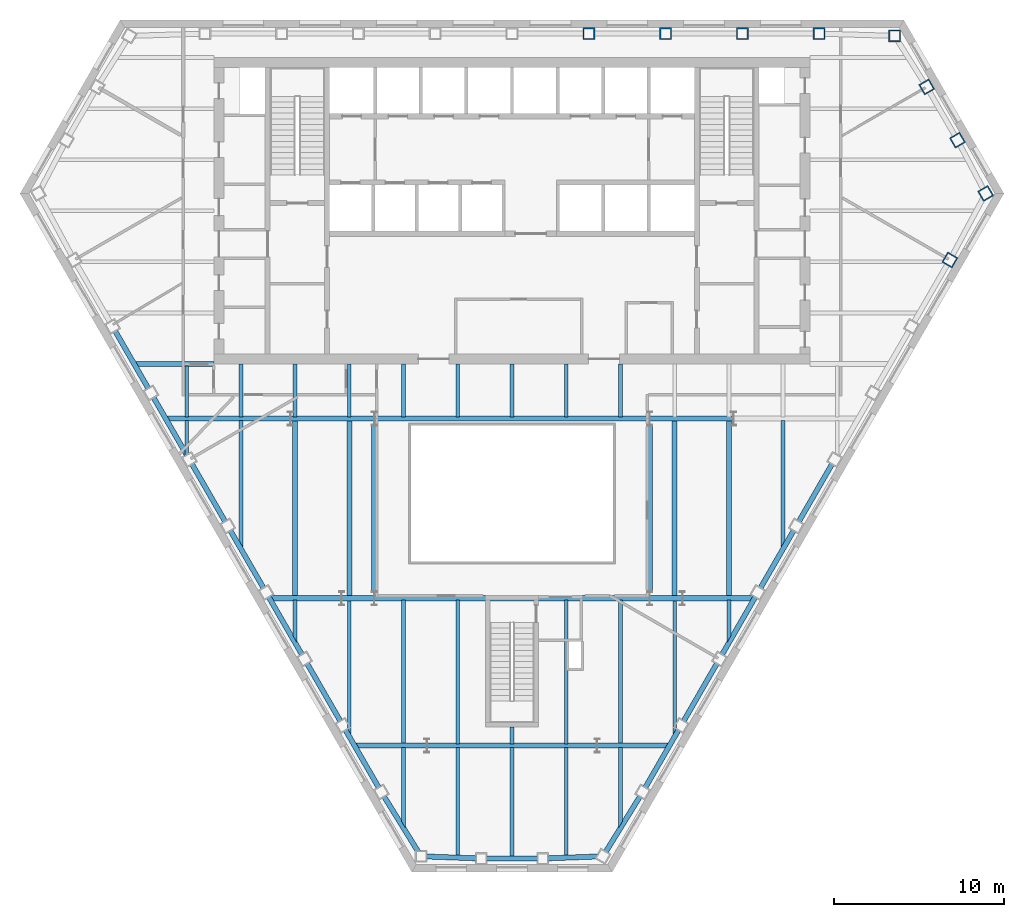
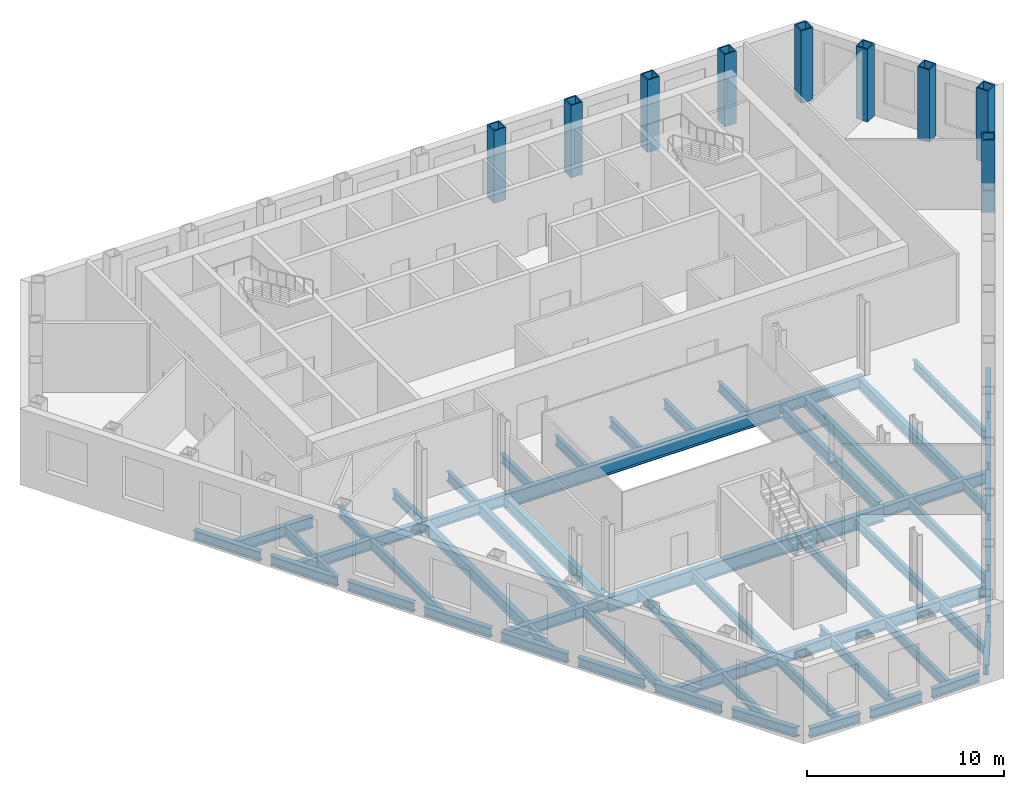
# One storey, part 2 of 11: 62 beams, 9 columns.
"""IFC4 building model written with IfcOpenShell, lengths in metres."""

from ifc_helpers import new_model, si_unit, direction, frame, origin, origin_2d, place, context, subcontext, project, spatial, hollow_rectangle, i_section, extrude, clip, halfspace, material, material_profile, profile_set, type_object, element, save


model = new_model("IFC4")

# Units and contexts
model_context = context("Model", 3, precision=1e-05, world=origin(), true_north=direction((0.0, 1.0)))
body_context = subcontext(model_context, "Body", "Model", "MODEL_VIEW")
ifc_project = project(units=[si_unit("LENGTHUNIT", "METRE"), si_unit("AREAUNIT", "SQUARE_METRE"), si_unit("VOLUMEUNIT", "CUBIC_METRE"), si_unit("PLANEANGLEUNIT", "RADIAN"), si_unit("MASSUNIT", "GRAM", prefix="KILO")], contexts=[model_context])

# Site, building, storey
site_placement = place(None, origin())
site = spatial("IfcSite", under=ifc_project, at=site_placement, CompositionType="ELEMENT")
building_placement = place(site_placement, origin())
building = spatial("IfcBuilding", under=site, at=building_placement, Name="Njiva Tower", CompositionType="ELEMENT")
storey_placement = place(building_placement, frame((0.0, 0.0, 42.3)))
storey = spatial("IfcBuildingStorey", under=building, at=storey_placement, Name="L08", CompositionType="ELEMENT", Elevation=42.3)

# Columns
ifc_material = material(Name="Steel S355 J2", Category="steel")
ifc_material_profile_1 = material_profile(ifc_material, hollow_rectangle(XDim=0.7, YDim=0.7, WallThickness=0.07, at=origin_2d()), Name="BOX 700x700x70")
ifc_profile_set_1 = profile_set([ifc_material_profile_1], Name="Steel S355 J2")
column_type = type_object("IfcColumnType", Name="C5 Perimeter tube column BOX 700x700x70", PredefinedType="COLUMN", material=ifc_profile_set_1)
for number, where, z_axis, x_axis, name in (
    (1, (22.466, 19.267, 0.0), (0.0, 0.0, 1.0), (-1.0, 0.0, 0.0), "Perimeter tube column S02-C01"),
    (2, (18.034, 19.4, 0.0), (0.0, 0.0, 1.0), (-1.0, 0.0, 0.0), "Perimeter tube column S02-C02"),
    (3, (13.526, 19.4, 0.0), (0.0, 0.0, 1.0), (-1.0, 0.0, 0.0), "Perimeter tube column S02-C03"),
    (4, (9.017, 19.4, 0.0), (0.0, 0.0, 1.0), (-1.0, 0.0, 0.0), "Perimeter tube column S02-C04"),
    (5, (4.509, 19.4, 0.0), (0.0, 0.0, 1.0), (-1.0, 0.0, 0.0), "Perimeter tube column S02-C05"),
    (6, (25.707, 6.111, 0.0), (0.0, 0.0, 1.0), (0.5, 0.866025403784, 0.0), "Perimeter tube column S02-C36"),
    (7, (27.808, 10.016, 0.0), (0.0, 0.0, 1.0), (-0.5, 0.866025403784, 0.0), "Perimeter tube column S02-C37"),
    (8, (26.155, 13.144, 0.0), (0.0, 0.0, 1.0), (-0.5, 0.866025403784, 0.0), "Perimeter tube column S02-C38"),
    (9, (24.349, 16.272, 0.0), (0.0, 0.0, 1.0), (-0.5, 0.866025403784, 0.0), "Perimeter tube column S02-C39"),
):
    element("IfcColumn", number, at=place(storey_placement, frame(where, z_axis=z_axis, x_axis=x_axis)), inside=storey, type_object=column_type, Name=name, PredefinedType="COLUMN", context=body_context, shape_type="SweptSolid", body=[
        extrude(hollow_rectangle(XDim=0.7, YDim=0.7, WallThickness=0.07, at=origin_2d()), origin(), (0.0, 0.0, 1.0), 4.5),
    ])

# Beams
ifc_material_profile_2 = material_profile(ifc_material, i_section(OverallWidth=0.3, OverallDepth=0.69, WebThickness=0.0145, FlangeThickness=0.027, at=origin_2d()), Name="HEA 700")
ifc_profile_set_2 = profile_set([ifc_material_profile_2], Name="Steel S355 J2")
beam_type_1 = type_object("IfcBeamType", Name="B12 Long-span floor joist HEA 700", PredefinedType="JOIST", material=ifc_profile_set_2)
for number, where, z_axis, x_axis, name in (
    (10, (-12.733, -3.3, -0.545), (0.0, -1.0, 0.0), (1.0, 0.0, 0.0), "Long-span floor joist S02-B068"),
    (11, (-9.55, -3.3, -0.545), (0.0, -1.0, 0.0), (1.0, 0.0, 0.0), "Long-span floor joist S02-B071"),
    (12, (9.55, -3.3, -0.545), (0.0, -1.0, 0.0), (1.0, 0.0, 0.0), "Long-span floor joist S02-B089"),
    (13, (12.733, -3.3, -0.545), (0.0, -1.0, 0.0), (1.0, 0.0, 0.0), "Long-span floor joist S02-B092"),
):
    element("IfcBeam", number, at=place(storey_placement, frame(where, z_axis=z_axis, x_axis=x_axis)), inside=storey, type_object=beam_type_1, Name=name, PredefinedType="JOIST", context=body_context, shape_type="SweptSolid", body=[
        extrude(i_section(OverallWidth=0.3, OverallDepth=0.69, WebThickness=0.0145, FlangeThickness=0.027, at=origin_2d()), origin(), (0.0, 0.0, 1.0), 10.35),
    ])
ifc_material_profile_3 = material_profile(ifc_material, i_section(OverallWidth=0.22, OverallDepth=0.6, WebThickness=0.012, FlangeThickness=0.019, at=origin_2d()), Name="IPE 600")
ifc_profile_set_3 = profile_set([ifc_material_profile_3], Name="Steel S355 J2")
beam_type_2 = type_object("IfcBeamType", Name="B13 Floor joist IPE 600", PredefinedType="JOIST", material=ifc_profile_set_3)
beam_1_placement = place(storey_placement, frame((-15.917, -3.3, -0.5), z_axis=(0.0, -1.0, 0.0), x_axis=(1.0, 0.0, 0.0)))
element("IfcBeam", 14, at=beam_1_placement, inside=storey, type_object=beam_type_2, Name="Floor joist S02-B065", PredefinedType="JOIST", context=body_context, shape_type="Clipping", body=[
    clip(extrude(i_section(OverallWidth=0.22, OverallDepth=0.6, WebThickness=0.012, FlangeThickness=0.019, at=origin_2d()), origin(), (0.0, 0.0, 1.0), 7.557), halfspace(frame((-0.043, 0.0, 7.2713), z_axis=(-0.866026552831, 0.0, 0.499998009787), x_axis=(0.0, 1.0, 0.0)), False)),
])
beam_2_placement = place(storey_placement, frame((-9.55, -13.85, -0.5), z_axis=(0.0, -1.0, 0.0), x_axis=(1.0, 0.0, 0.0)))
element("IfcBeam", 15, at=beam_2_placement, inside=storey, type_object=beam_type_2, Name="Floor joist S02-B070", PredefinedType="JOIST", context=body_context, shape_type="Clipping", body=[
    clip(extrude(i_section(OverallWidth=0.22, OverallDepth=0.6, WebThickness=0.012, FlangeThickness=0.019, at=origin_2d()), origin(), (0.0, 0.0, 1.0), 8.035), halfspace(frame((-0.0433, 0.0, 7.7487), z_axis=(-0.866026552831, 0.0, 0.499998009787), x_axis=(0.0, 1.0, 0.0)), False)),
])
beam_3_placement = place(storey_placement, frame((-6.367, -13.851, -0.5), z_axis=(0.0, -1.0, 0.0), x_axis=(1.0, 0.0, 0.0)))
element("IfcBeam", 16, at=beam_3_placement, inside=storey, type_object=beam_type_2, Name="Floor joist S02-B074", PredefinedType="JOIST", context=body_context, shape_type="SweptSolid", body=[
    extrude(i_section(OverallWidth=0.22, OverallDepth=0.6, WebThickness=0.012, FlangeThickness=0.019, at=origin_2d()), origin(), (0.0, 0.0, 1.0), 8.449),
])
beam_4_placement = place(storey_placement, frame((-6.367, -22.5, -0.5), z_axis=(0.0, -1.0, 0.0), x_axis=(1.0, 0.0, 0.0)))
element("IfcBeam", 17, at=beam_4_placement, inside=storey, type_object=beam_type_2, Name="Floor joist S02-B073", PredefinedType="JOIST", context=body_context, shape_type="Clipping", body=[
    clip(extrude(i_section(OverallWidth=0.22, OverallDepth=0.6, WebThickness=0.012, FlangeThickness=0.019, at=origin_2d()), origin(), (0.0, 0.0, 1.0), 4.746), halfspace(frame((-0.0422, 0.0, 4.4792), z_axis=(-0.850624900762, 0.0, 0.525773029171), x_axis=(0.0, 1.0, 0.0)), False)),
])
beam_5_placement = place(storey_placement, frame((-3.183, -13.851, -0.5), z_axis=(0.0, -1.0, 0.0), x_axis=(1.0, 0.0, 0.0)))
element("IfcBeam", 18, at=beam_5_placement, inside=storey, type_object=beam_type_2, Name="Floor joist S02-B077", PredefinedType="JOIST", context=body_context, shape_type="SweptSolid", body=[
    extrude(i_section(OverallWidth=0.22, OverallDepth=0.6, WebThickness=0.012, FlangeThickness=0.019, at=origin_2d()), origin(), (0.0, 0.0, 1.0), 8.449),
])
beam_6_placement = place(storey_placement, frame((-3.183, -22.5, -0.5), z_axis=(0.0, -1.0, 0.0), x_axis=(1.0, 0.0, 0.0)))
element("IfcBeam", 19, at=beam_6_placement, inside=storey, type_object=beam_type_2, Name="Floor joist S02-B076", PredefinedType="JOIST", context=body_context, shape_type="SweptSolid", body=[
    extrude(i_section(OverallWidth=0.22, OverallDepth=0.6, WebThickness=0.012, FlangeThickness=0.019, at=origin_2d()), origin(), (0.0, 0.0, 1.0), 6.375),
])
beam_7_placement = place(storey_placement, frame((0.0, -22.5, -0.5), z_axis=(0.0, -1.0, 0.0), x_axis=(1.0, 0.0, 0.0)))
element("IfcBeam", 20, at=beam_7_placement, inside=storey, type_object=beam_type_2, Name="Floor joist S02-B079", PredefinedType="JOIST", context=body_context, shape_type="SweptSolid", body=[
    extrude(i_section(OverallWidth=0.22, OverallDepth=0.6, WebThickness=0.012, FlangeThickness=0.019, at=origin_2d()), origin(), (0.0, 0.0, 1.0), 6.43),
])
beam_8_placement = place(storey_placement, frame((3.183, -13.851, -0.5), z_axis=(0.0, -1.0, 0.0), x_axis=(1.0, 0.0, 0.0)))
element("IfcBeam", 21, at=beam_8_placement, inside=storey, type_object=beam_type_2, Name="Floor joist S02-B083", PredefinedType="JOIST", context=body_context, shape_type="SweptSolid", body=[
    extrude(i_section(OverallWidth=0.22, OverallDepth=0.6, WebThickness=0.012, FlangeThickness=0.019, at=origin_2d()), origin(), (0.0, 0.0, 1.0), 8.449),
])
beam_9_placement = place(storey_placement, frame((3.183, -22.5, -0.5), z_axis=(0.0, -1.0, 0.0), x_axis=(1.0, 0.0, 0.0)))
element("IfcBeam", 22, at=beam_9_placement, inside=storey, type_object=beam_type_2, Name="Floor joist S02-B082", PredefinedType="JOIST", context=body_context, shape_type="SweptSolid", body=[
    extrude(i_section(OverallWidth=0.22, OverallDepth=0.6, WebThickness=0.012, FlangeThickness=0.019, at=origin_2d()), origin(), (0.0, 0.0, 1.0), 6.375),
])
beam_10_placement = place(storey_placement, frame((6.367, -13.851, -0.5), z_axis=(0.0, -1.0, 0.0), x_axis=(1.0, 0.0, 0.0)))
element("IfcBeam", 23, at=beam_10_placement, inside=storey, type_object=beam_type_2, Name="Floor joist S02-B086", PredefinedType="JOIST", context=body_context, shape_type="SweptSolid", body=[
    extrude(i_section(OverallWidth=0.22, OverallDepth=0.6, WebThickness=0.012, FlangeThickness=0.019, at=origin_2d()), origin(), (0.0, 0.0, 1.0), 8.449),
])
beam_11_placement = place(storey_placement, frame((6.367, -22.5, -0.5), z_axis=(0.0, -1.0, 0.0), x_axis=(1.0, 0.0, 0.0)))
element("IfcBeam", 24, at=beam_11_placement, inside=storey, type_object=beam_type_2, Name="Floor joist S02-B085", PredefinedType="JOIST", context=body_context, shape_type="Clipping", body=[
    clip(extrude(i_section(OverallWidth=0.22, OverallDepth=0.6, WebThickness=0.012, FlangeThickness=0.019, at=origin_2d()), origin(), (0.0, 0.0, 1.0), 4.746), halfspace(frame((0.0422, 0.0, 4.4792), z_axis=(0.850624900762, 0.0, 0.525773029171), x_axis=(0.0, 1.0, 0.0)), False)),
])
beam_12_placement = place(storey_placement, frame((9.55, -13.85, -0.5), z_axis=(0.0, -1.0, 0.0), x_axis=(1.0, 0.0, 0.0)))
element("IfcBeam", 25, at=beam_12_placement, inside=storey, type_object=beam_type_2, Name="Floor joist S02-B088", PredefinedType="JOIST", context=body_context, shape_type="Clipping", body=[
    clip(extrude(i_section(OverallWidth=0.22, OverallDepth=0.6, WebThickness=0.012, FlangeThickness=0.019, at=origin_2d()), origin(), (0.0, 0.0, 1.0), 8.035), halfspace(frame((0.0433, 0.0, 7.7487), z_axis=(0.866026552831, 0.0, 0.499998009787), x_axis=(0.0, 1.0, 0.0)), False)),
])
beam_13_placement = place(storey_placement, frame((15.917, -3.3, -0.5), z_axis=(0.0, -1.0, 0.0), x_axis=(1.0, 0.0, 0.0)))
element("IfcBeam", 26, at=beam_13_placement, inside=storey, type_object=beam_type_2, Name="Floor joist S02-B094", PredefinedType="JOIST", context=body_context, shape_type="Clipping", body=[
    clip(extrude(i_section(OverallWidth=0.22, OverallDepth=0.6, WebThickness=0.012, FlangeThickness=0.019, at=origin_2d()), origin(), (0.0, 0.0, 1.0), 7.557), halfspace(frame((0.043, 0.0, 7.2713), z_axis=(0.866026552831, 0.0, 0.499998009787), x_axis=(0.0, 1.0, 0.0)), False)),
])
ifc_material_profile_4 = material_profile(ifc_material, i_section(OverallWidth=0.22, OverallDepth=0.6, WebThickness=0.012, FlangeThickness=0.019, at=origin_2d()), Name="IPE 600")
ifc_profile_set_4 = profile_set([ifc_material_profile_4], Name="Steel S355 J2")
beam_type_3 = type_object("IfcBeamType", Name="B14 Short-span floor joist IPE 600", PredefinedType="JOIST", material=ifc_profile_set_4)
beam_14_placement = place(storey_placement, frame((-19.1, -0.1, -0.5), z_axis=(0.0, -1.0, 0.0), x_axis=(1.0, 0.0, 0.0)))
element("IfcBeam", 27, at=beam_14_placement, inside=storey, type_object=beam_type_3, Name="Short-span floor joist S02-B064", PredefinedType="JOIST", context=body_context, shape_type="SweptSolid", body=[
    extrude(i_section(OverallWidth=0.22, OverallDepth=0.6, WebThickness=0.012, FlangeThickness=0.019, at=origin_2d()), origin(), (0.0, 0.0, 1.0), 3.0),
])
beam_15_placement = place(storey_placement, frame((-19.1, -3.3, -0.5), z_axis=(0.0, -1.0, 0.0), x_axis=(1.0, 0.0, 0.0)))
element("IfcBeam", 28, at=beam_15_placement, inside=storey, type_object=beam_type_3, Name="Short-span floor joist S02-B062", PredefinedType="JOIST", context=body_context, shape_type="Clipping", body=[
    clip(extrude(i_section(OverallWidth=0.22, OverallDepth=0.6, WebThickness=0.012, FlangeThickness=0.019, at=origin_2d()), origin(), (0.0, 0.0, 1.0), 2.131), halfspace(frame((0.025, 0.0, 2.0322), z_axis=(0.499998009787, 0.0, 0.866026552831), x_axis=(0.0, 1.0, 0.0)), False)),
])
for number, where, z_axis, x_axis, name in (
    (29, (-15.917, -0.005, -0.5), (0.0, -1.0, 0.0), (1.0, 0.0, 0.0), "Short-span floor joist S02-B066"),
    (30, (-12.733, -0.005, -0.5), (0.0, -1.0, 0.0), (1.0, 0.0, 0.0), "Short-span floor joist S02-B069"),
):
    element("IfcBeam", number, at=place(storey_placement, frame(where, z_axis=z_axis, x_axis=x_axis)), inside=storey, type_object=beam_type_3, Name=name, PredefinedType="JOIST", context=body_context, shape_type="SweptSolid", body=[
        extrude(i_section(OverallWidth=0.22, OverallDepth=0.6, WebThickness=0.012, FlangeThickness=0.019, at=origin_2d()), origin(), (0.0, 0.0, 1.0), 3.095),
    ])
beam_16_placement = place(storey_placement, frame((-12.733, -13.85, -0.5), z_axis=(0.0, -1.0, 0.0), x_axis=(1.0, 0.0, 0.0)))
element("IfcBeam", 31, at=beam_16_placement, inside=storey, type_object=beam_type_3, Name="Short-span floor joist S02-B067", PredefinedType="JOIST", context=body_context, shape_type="Clipping", body=[
    clip(extrude(i_section(OverallWidth=0.22, OverallDepth=0.6, WebThickness=0.012, FlangeThickness=0.019, at=origin_2d()), origin(), (0.0, 0.0, 1.0), 2.521), halfspace(frame((-0.0436, 0.0, 2.235), z_axis=(-0.866026552831, 0.0, 0.499998009787), x_axis=(0.0, 1.0, 0.0)), False)),
])
beam_17_placement = place(storey_placement, frame((-9.55, -0.005, -0.5), z_axis=(0.0, -1.0, 0.0), x_axis=(1.0, 0.0, 0.0)))
element("IfcBeam", 32, at=beam_17_placement, inside=storey, type_object=beam_type_3, Name="Short-span floor joist S02-B072", PredefinedType="JOIST", context=body_context, shape_type="SweptSolid", body=[
    extrude(i_section(OverallWidth=0.22, OverallDepth=0.6, WebThickness=0.012, FlangeThickness=0.019, at=origin_2d()), origin(), (0.0, 0.0, 1.0), 3.095),
])
for number, where, z_axis, x_axis, name in (
    (33, (-6.367, -0.005, -0.5), (0.0, -1.0, 0.0), (1.0, 0.0, 0.0), "Short-span floor joist S02-B075"),
    (34, (-3.183, -0.005, -0.5), (0.0, -1.0, 0.0), (1.0, 0.0, 0.0), "Short-span floor joist S02-B078"),
    (35, (0.0, -0.005, -0.5), (0.0, -1.0, 0.0), (1.0, 0.0, 0.0), "Short-span floor joist S02-B081"),
):
    element("IfcBeam", number, at=place(storey_placement, frame(where, z_axis=z_axis, x_axis=x_axis)), inside=storey, type_object=beam_type_3, Name=name, PredefinedType="JOIST", context=body_context, shape_type="SweptSolid", body=[
        extrude(i_section(OverallWidth=0.22, OverallDepth=0.6, WebThickness=0.012, FlangeThickness=0.019, at=origin_2d()), origin(), (0.0, 0.0, 1.0), 3.094),
    ])
beam_18_placement = place(storey_placement, frame((0.0, -21.3, -0.5), z_axis=(0.0, -1.0, 0.0), x_axis=(1.0, 0.0, 0.0)))
element("IfcBeam", 36, at=beam_18_placement, inside=storey, type_object=beam_type_3, Name="Short-span floor joist S02-B080", PredefinedType="JOIST", context=body_context, shape_type="SweptSolid", body=[
    extrude(i_section(OverallWidth=0.22, OverallDepth=0.6, WebThickness=0.012, FlangeThickness=0.019, at=origin_2d()), origin(), (0.0, 0.0, 1.0), 1.0),
])
for number, where, z_axis, x_axis, name in (
    (37, (3.183, -0.005, -0.5), (0.0, -1.0, 0.0), (1.0, 0.0, 0.0), "Short-span floor joist S02-B084"),
    (38, (6.367, -0.005, -0.5), (0.0, -1.0, 0.0), (1.0, 0.0, 0.0), "Short-span floor joist S02-B087"),
):
    element("IfcBeam", number, at=place(storey_placement, frame(where, z_axis=z_axis, x_axis=x_axis)), inside=storey, type_object=beam_type_3, Name=name, PredefinedType="JOIST", context=body_context, shape_type="SweptSolid", body=[
        extrude(i_section(OverallWidth=0.22, OverallDepth=0.6, WebThickness=0.012, FlangeThickness=0.019, at=origin_2d()), origin(), (0.0, 0.0, 1.0), 3.094),
    ])
beam_19_placement = place(storey_placement, frame((12.733, -13.85, -0.5), z_axis=(0.0, -1.0, 0.0), x_axis=(1.0, 0.0, 0.0)))
element("IfcBeam", 39, at=beam_19_placement, inside=storey, type_object=beam_type_3, Name="Short-span floor joist S02-B091", PredefinedType="JOIST", context=body_context, shape_type="Clipping", body=[
    clip(extrude(i_section(OverallWidth=0.22, OverallDepth=0.6, WebThickness=0.012, FlangeThickness=0.019, at=origin_2d()), origin(), (0.0, 0.0, 1.0), 2.521), halfspace(frame((0.0436, 0.0, 2.235), z_axis=(0.866026552831, 0.0, 0.499998009787), x_axis=(0.0, 1.0, 0.0)), False)),
])
ifc_material_profile_5 = material_profile(ifc_material, i_section(OverallWidth=0.3, OverallDepth=0.69, WebThickness=0.0145, FlangeThickness=0.027, at=origin_2d()), Name="HEA 700")
ifc_profile_set_5 = profile_set([ifc_material_profile_5], Name="Steel S355 J2")
beam_type_4 = type_object("IfcBeamType", Name="B15 Floor girder HEA 700", PredefinedType="BEAM", material=ifc_profile_set_5)
beam_20_placement = place(storey_placement, frame((-20.323, -3.2, -0.545), z_axis=(1.0, 0.0, 0.0), x_axis=(0.0, 1.0, 0.0)))
element("IfcBeam", 40, at=beam_20_placement, inside=storey, type_object=beam_type_4, Name="Floor girder S02-B016", PredefinedType="BEAM", context=body_context, shape_type="Clipping", body=[
    clip(extrude(i_section(OverallWidth=0.3, OverallDepth=0.69, WebThickness=0.0145, FlangeThickness=0.027, at=origin_2d()), origin(), (0.0, 0.0, 1.0), 7.323), halfspace(frame((-0.025, 0.0, 0.1217), z_axis=(-0.499998009787, 0.0, -0.866026552831), x_axis=(0.0, -1.0, 0.0)), False)),
])
for number, where, z_axis, x_axis, name in (
    (41, (-13.0, -3.2, -0.545), (1.0, 0.0, 0.0), (0.0, 1.0, 0.0), "Floor girder S02-B019"),
    (42, (8.09, -3.2, -0.545), (1.0, 0.0, 0.0), (0.0, 1.0, 0.0), "Floor girder S02-B025"),
):
    element("IfcBeam", number, at=place(storey_placement, frame(where, z_axis=z_axis, x_axis=x_axis)), inside=storey, type_object=beam_type_4, Name=name, PredefinedType="BEAM", context=body_context, shape_type="SweptSolid", body=[
        extrude(i_section(OverallWidth=0.3, OverallDepth=0.69, WebThickness=0.0145, FlangeThickness=0.027, at=origin_2d()), origin(), (0.0, 0.0, 1.0), 4.91),
    ])
beam_21_placement = place(storey_placement, frame((-22.17, 0.0, -0.545), z_axis=(1.0, 0.0, 0.0), x_axis=(0.0, 1.0, 0.0)))
element("IfcBeam", 43, at=beam_21_placement, inside=storey, type_object=beam_type_4, Name="Floor girder S02-B015", PredefinedType="BEAM", context=body_context, shape_type="Clipping", body=[
    clip(extrude(i_section(OverallWidth=0.3, OverallDepth=0.69, WebThickness=0.0145, FlangeThickness=0.027, at=origin_2d()), origin(), (0.0, 0.0, 1.0), 4.67), halfspace(frame((-0.025, 0.0, 0.1211), z_axis=(-0.499998009787, 0.0, -0.866026552831), x_axis=(0.0, -1.0, 0.0)), False)),
])
ifc_material_profile_6 = material_profile(ifc_material, i_section(OverallWidth=0.3, OverallDepth=0.69, WebThickness=0.0145, FlangeThickness=0.027, at=origin_2d()), Name="HEA 700")
ifc_profile_set_6 = profile_set([ifc_material_profile_6], Name="Steel S355 J2")
beam_type_5 = type_object("IfcBeamType", Name="B16 Short-span floor girder HEA 700", PredefinedType="BEAM", material=ifc_profile_set_6)
beam_22_placement = place(storey_placement, frame((-14.232, -13.75, -0.545), z_axis=(1.0, 0.0, 0.0), x_axis=(0.0, 1.0, 0.0)))
element("IfcBeam", 44, at=beam_22_placement, inside=storey, type_object=beam_type_5, Name="Short-span floor girder S02-B018", PredefinedType="BEAM", context=body_context, shape_type="Clipping", body=[
    clip(extrude(i_section(OverallWidth=0.3, OverallDepth=0.69, WebThickness=0.0145, FlangeThickness=0.027, at=origin_2d()), origin(), (0.0, 0.0, 1.0), 4.232), halfspace(frame((-0.025, 0.0, 0.1217), z_axis=(-0.499998009787, 0.0, -0.866026552831), x_axis=(0.0, -1.0, 0.0)), False)),
])
for number, where, z_axis, x_axis, name in (
    (45, (-10.0, -13.75, -0.545), (1.0, 0.0, 0.0), (0.0, 1.0, 0.0), "Short-span floor girder S02-B020"),
    (46, (8.09, -13.75, -0.545), (1.0, 0.0, 0.0), (0.0, 1.0, 0.0), "Short-span floor girder S02-B024"),
):
    element("IfcBeam", number, at=place(storey_placement, frame(where, z_axis=z_axis, x_axis=x_axis)), inside=storey, type_object=beam_type_5, Name=name, PredefinedType="BEAM", context=body_context, shape_type="SweptSolid", body=[
        extrude(i_section(OverallWidth=0.3, OverallDepth=0.69, WebThickness=0.0145, FlangeThickness=0.027, at=origin_2d()), origin(), (0.0, 0.0, 1.0), 1.91),
    ])
beam_23_placement = place(storey_placement, frame((10.0, -13.75, -0.545), z_axis=(1.0, 0.0, 0.0), x_axis=(0.0, 1.0, 0.0)))
element("IfcBeam", 47, at=beam_23_placement, inside=storey, type_object=beam_type_5, Name="Short-span floor girder S02-B026", PredefinedType="BEAM", context=body_context, shape_type="Clipping", body=[
    clip(extrude(i_section(OverallWidth=0.3, OverallDepth=0.69, WebThickness=0.0145, FlangeThickness=0.027, at=origin_2d()), origin(), (0.0, 0.0, 1.0), 4.232), halfspace(frame((-0.025, 0.0, 4.1103), z_axis=(-0.499998009787, 0.0, 0.866026552831), x_axis=(0.0, 1.0, 0.0)), False)),
])
beam_24_placement = place(storey_placement, frame((-9.238, -22.4, -0.545), z_axis=(1.0, 0.0, 0.0), x_axis=(0.0, 1.0, 0.0)))
element("IfcBeam", 48, at=beam_24_placement, inside=storey, type_object=beam_type_5, Name="Short-span floor girder S02-B021", PredefinedType="BEAM", context=body_context, shape_type="Clipping", body=[
    clip(extrude(i_section(OverallWidth=0.3, OverallDepth=0.69, WebThickness=0.0145, FlangeThickness=0.027, at=origin_2d()), origin(), (0.0, 0.0, 1.0), 4.238), halfspace(frame((-0.025, 0.0, 0.1218), z_axis=(-0.499998009787, 0.0, -0.866026552831), x_axis=(0.0, -1.0, 0.0)), False)),
])
beam_25_placement = place(storey_placement, frame((5.0, -22.4, -0.545), z_axis=(1.0, 0.0, 0.0), x_axis=(0.0, 1.0, 0.0)))
element("IfcBeam", 49, at=beam_25_placement, inside=storey, type_object=beam_type_5, Name="Short-span floor girder S02-B023", PredefinedType="BEAM", context=body_context, shape_type="Clipping", body=[
    clip(extrude(i_section(OverallWidth=0.3, OverallDepth=0.69, WebThickness=0.0145, FlangeThickness=0.027, at=origin_2d()), origin(), (0.0, 0.0, 1.0), 4.238), halfspace(frame((-0.025, 0.0, 4.1162), z_axis=(-0.499998009787, 0.0, 0.866026552831), x_axis=(0.0, 1.0, 0.0)), False)),
])
ifc_material_profile_7 = material_profile(ifc_material, i_section(OverallWidth=0.3, OverallDepth=0.69, WebThickness=0.0145, FlangeThickness=0.027, at=origin_2d()), Name="HEA 700")
ifc_profile_set_7 = profile_set([ifc_material_profile_7], Name="Steel S355 J2")
beam_type_6 = type_object("IfcBeamType", Name="B17 Long-span floor girder HEA 700", PredefinedType="BEAM", material=ifc_profile_set_7)
beam_26_placement = place(storey_placement, frame((-5.0, -22.4, -0.545), z_axis=(1.0, 0.0, 0.0), x_axis=(0.0, 1.0, 0.0)))
element("IfcBeam", 50, at=beam_26_placement, inside=storey, type_object=beam_type_6, Name="Long-span floor girder S02-B022", PredefinedType="BEAM", context=body_context, shape_type="SweptSolid", body=[
    extrude(i_section(OverallWidth=0.3, OverallDepth=0.69, WebThickness=0.0145, FlangeThickness=0.027, at=origin_2d()), origin(), (0.0, 0.0, 1.0), 10.0),
])
ifc_material_profile_8 = material_profile(ifc_material, i_section(OverallWidth=0.3, OverallDepth=0.69, WebThickness=0.0145, FlangeThickness=0.027, at=origin_2d()), Name="HEA 700")
ifc_profile_set_8 = profile_set([ifc_material_profile_8], Name="Steel S355 J2")
beam_type_7 = type_object("IfcBeamType", Name="B18 Long-span atrium trimmer beam HEA 700", PredefinedType="BEAM", material=ifc_profile_set_8)
for number, where, z_axis, x_axis, name in (
    (51, (8.09, -13.393, -0.545), (0.0, 1.0, 0.0), (-1.0, 0.0, 0.0), "Long-span atrium trimmer beam S02-B104"),
    (52, (-8.09, -3.557, -0.545), (0.0, -1.0, 0.0), (1.0, 0.0, 0.0), "Long-span atrium trimmer beam S02-B101"),
):
    element("IfcBeam", number, at=place(storey_placement, frame(where, z_axis=z_axis, x_axis=x_axis)), inside=storey, type_object=beam_type_7, Name=name, PredefinedType="BEAM", context=body_context, shape_type="SweptSolid", body=[
        extrude(i_section(OverallWidth=0.3, OverallDepth=0.69, WebThickness=0.0145, FlangeThickness=0.027, at=origin_2d()), origin(), (0.0, 0.0, 1.0), 9.836),
    ])
ifc_material_profile_9 = material_profile(ifc_material, i_section(OverallWidth=0.3, OverallDepth=0.6, WebThickness=0.0155, FlangeThickness=0.03, at=origin_2d()), Name="HEB 600")
ifc_profile_set_9 = profile_set([ifc_material_profile_9], Name="Steel S355 J2")
beam_type_8 = type_object("IfcBeamType", Name="B3 Short-span spandrel beam HEB 600", PredefinedType="SPANDREL", material=ifc_profile_set_9)
beam_27_placement = place(storey_placement, frame((-23.303, 1.946, -0.5), z_axis=(0.500239230067, -0.865887240177, 0.0), x_axis=(0.865887240177, 0.500239230067, 0.0)))
element("IfcBeam", 53, at=beam_27_placement, inside=storey, type_object=beam_type_8, Name="Short-span spandrel beam S02-B115", PredefinedType="SPANDREL", context=body_context, shape_type="SweptSolid", body=[
    extrude(i_section(OverallWidth=0.3, OverallDepth=0.6, WebThickness=0.0155, FlangeThickness=0.03, at=origin_2d()), origin(), (0.0, 0.0, 1.0), 3.9081),
])
beam_28_placement = place(storey_placement, frame((-21.048, -1.958, -0.5), z_axis=(0.499936548189, -0.866062034606, 0.0), x_axis=(0.866062034606, 0.499936548189, 0.0)))
element("IfcBeam", 54, at=beam_28_placement, inside=storey, type_object=beam_type_8, Name="Short-span spandrel beam S02-B119", PredefinedType="SPANDREL", context=body_context, shape_type="SweptSolid", body=[
    extrude(i_section(OverallWidth=0.3, OverallDepth=0.6, WebThickness=0.0155, FlangeThickness=0.03, at=origin_2d()), origin(), (0.0, 0.0, 1.0), 3.9085),
])
beam_29_placement = place(storey_placement, frame((-18.794, -5.863, -0.5), z_axis=(0.500047346826, -0.865998066356, 0.0), x_axis=(0.865998066356, 0.500047346826, 0.0)))
element("IfcBeam", 55, at=beam_29_placement, inside=storey, type_object=beam_type_8, Name="Short-span spandrel beam S02-B121", PredefinedType="SPANDREL", context=body_context, shape_type="SweptSolid", body=[
    extrude(i_section(OverallWidth=0.3, OverallDepth=0.6, WebThickness=0.0155, FlangeThickness=0.03, at=origin_2d()), origin(), (0.0, 0.0, 1.0), 3.9076),
])
beam_30_placement = place(storey_placement, frame((-16.54, -9.767, -0.5), z_axis=(0.500128417272, -0.865951249342, 0.0), x_axis=(0.865951249342, 0.500128417272, 0.0)))
element("IfcBeam", 56, at=beam_30_placement, inside=storey, type_object=beam_type_8, Name="Short-span spandrel beam S02-B125", PredefinedType="SPANDREL", context=body_context, shape_type="SweptSolid", body=[
    extrude(i_section(OverallWidth=0.3, OverallDepth=0.6, WebThickness=0.0155, FlangeThickness=0.03, at=origin_2d()), origin(), (0.0, 0.0, 1.0), 3.909),
])
beam_31_placement = place(storey_placement, frame((-14.285, -13.672, -0.5), z_axis=(0.499936548189, -0.866062034606, 0.0), x_axis=(0.866062034606, 0.499936548189, 0.0)))
element("IfcBeam", 57, at=beam_31_placement, inside=storey, type_object=beam_type_8, Name="Short-span spandrel beam S02-B127", PredefinedType="SPANDREL", context=body_context, shape_type="SweptSolid", body=[
    extrude(i_section(OverallWidth=0.3, OverallDepth=0.6, WebThickness=0.0155, FlangeThickness=0.03, at=origin_2d()), origin(), (0.0, 0.0, 1.0), 3.9085),
])
beam_32_placement = place(storey_placement, frame((-12.031, -17.577, -0.5), z_axis=(0.500047346826, -0.865998066356, 0.0), x_axis=(0.865998066356, 0.500047346826, 0.0)))
element("IfcBeam", 58, at=beam_32_placement, inside=storey, type_object=beam_type_8, Name="Short-span spandrel beam S02-B131", PredefinedType="SPANDREL", context=body_context, shape_type="SweptSolid", body=[
    extrude(i_section(OverallWidth=0.3, OverallDepth=0.6, WebThickness=0.0155, FlangeThickness=0.03, at=origin_2d()), origin(), (0.0, 0.0, 1.0), 3.9076),
])
beam_33_placement = place(storey_placement, frame((-9.777, -21.481, -0.5), z_axis=(0.500128417272, -0.865951249342, 0.0), x_axis=(0.865951249342, 0.500128417272, 0.0)))
element("IfcBeam", 59, at=beam_33_placement, inside=storey, type_object=beam_type_8, Name="Short-span spandrel beam S02-B133", PredefinedType="SPANDREL", context=body_context, shape_type="SweptSolid", body=[
    extrude(i_section(OverallWidth=0.3, OverallDepth=0.6, WebThickness=0.0155, FlangeThickness=0.03, at=origin_2d()), origin(), (0.0, 0.0, 1.0), 3.909),
])
beam_34_placement = place(storey_placement, frame((-7.512, -25.385, -0.5), z_axis=(0.525707123984, -0.850665633368, 0.0), x_axis=(0.850665633368, 0.525707123984, 0.0)))
element("IfcBeam", 60, at=beam_34_placement, inside=storey, type_object=beam_type_8, Name="Short-span spandrel beam S02-B136", PredefinedType="SPANDREL", context=body_context, shape_type="Clipping", body=[
    clip(extrude(i_section(OverallWidth=0.3, OverallDepth=0.6, WebThickness=0.0155, FlangeThickness=0.03, at=origin_2d()), origin(), (0.0, 0.0, 1.0), 3.8889), halfspace(frame((-0.0261, 0.0, 3.7597), z_axis=(-0.525707123984, 0.0, 0.850665633368), x_axis=(0.0, 1.0, 0.0)), False)),
])
beam_35_placement = place(storey_placement, frame((-5.036, -28.909, -0.5), z_axis=(0.999293612064, -0.03758027259, 0.0), x_axis=(0.03758027259, 0.999293612064, 0.0)))
element("IfcBeam", 61, at=beam_35_placement, inside=storey, type_object=beam_type_8, Name="Short-span spandrel beam S02-B139", PredefinedType="SPANDREL", context=body_context, shape_type="SweptSolid", body=[
    extrude(i_section(OverallWidth=0.3, OverallDepth=0.6, WebThickness=0.0155, FlangeThickness=0.03, at=origin_2d()), origin(), (0.0, 0.0, 1.0), 2.9271),
])
beam_36_placement = place(storey_placement, frame((-1.506, -29.03, -0.5), z_axis=(1.0, 0.0, 0.0), x_axis=(0.0, 1.0, 0.0)))
element("IfcBeam", 62, at=beam_36_placement, inside=storey, type_object=beam_type_8, Name="Short-span spandrel beam S02-B142", PredefinedType="SPANDREL", context=body_context, shape_type="SweptSolid", body=[
    extrude(i_section(OverallWidth=0.3, OverallDepth=0.6, WebThickness=0.0155, FlangeThickness=0.03, at=origin_2d()), origin(), (0.0, 0.0, 1.0), 3.012),
])
beam_37_placement = place(storey_placement, frame((2.111, -29.019, -0.5), z_axis=(0.999295662635, 0.037525706385, 0.0), x_axis=(-0.037525706385, 0.999295662635, 0.0)))
element("IfcBeam", 63, at=beam_37_placement, inside=storey, type_object=beam_type_8, Name="Short-span spandrel beam S02-B144", PredefinedType="SPANDREL", context=body_context, shape_type="Clipping", body=[
    clip(extrude(i_section(OverallWidth=0.3, OverallDepth=0.6, WebThickness=0.0155, FlangeThickness=0.03, at=origin_2d()), origin(), (0.0, 0.0, 1.0), 2.992), halfspace(frame((-0.0261, 0.0, 2.8611), z_axis=(-0.53214410065, 0.0, 0.846653799462), x_axis=(0.0, 1.0, 0.0)), False)),
])
beam_38_placement = place(storey_placement, frame((5.501, -28.639, -0.5), z_axis=(0.525715487097, 0.850660464949, 0.0), x_axis=(-0.850660464949, 0.525715487097, 0.0)))
element("IfcBeam", 64, at=beam_38_placement, inside=storey, type_object=beam_type_8, Name="Short-span spandrel beam S02-B148", PredefinedType="SPANDREL", context=body_context, shape_type="SweptSolid", body=[
    extrude(i_section(OverallWidth=0.3, OverallDepth=0.6, WebThickness=0.0155, FlangeThickness=0.03, at=origin_2d()), origin(), (0.0, 0.0, 1.0), 3.8253),
])
beam_39_placement = place(storey_placement, frame((7.822, -24.866, -0.5), z_axis=(0.500128417272, 0.865951249342, 0.0), x_axis=(-0.865951249342, 0.500128417272, 0.0)))
element("IfcBeam", 65, at=beam_39_placement, inside=storey, type_object=beam_type_8, Name="Short-span spandrel beam S02-B150", PredefinedType="SPANDREL", context=body_context, shape_type="SweptSolid", body=[
    extrude(i_section(OverallWidth=0.3, OverallDepth=0.6, WebThickness=0.0155, FlangeThickness=0.03, at=origin_2d()), origin(), (0.0, 0.0, 1.0), 3.909),
])
beam_40_placement = place(storey_placement, frame((10.077, -20.961, -0.5), z_axis=(0.500047346826, 0.865998066356, 0.0), x_axis=(-0.865998066356, 0.500047346826, 0.0)))
element("IfcBeam", 66, at=beam_40_placement, inside=storey, type_object=beam_type_8, Name="Short-span spandrel beam S02-B154", PredefinedType="SPANDREL", context=body_context, shape_type="SweptSolid", body=[
    extrude(i_section(OverallWidth=0.3, OverallDepth=0.6, WebThickness=0.0155, FlangeThickness=0.03, at=origin_2d()), origin(), (0.0, 0.0, 1.0), 3.9076),
])
beam_41_placement = place(storey_placement, frame((12.331, -17.057, -0.5), z_axis=(0.499936548189, 0.866062034606, 0.0), x_axis=(-0.866062034606, 0.499936548189, 0.0)))
element("IfcBeam", 67, at=beam_41_placement, inside=storey, type_object=beam_type_8, Name="Short-span spandrel beam S02-B156", PredefinedType="SPANDREL", context=body_context, shape_type="SweptSolid", body=[
    extrude(i_section(OverallWidth=0.3, OverallDepth=0.6, WebThickness=0.0155, FlangeThickness=0.03, at=origin_2d()), origin(), (0.0, 0.0, 1.0), 3.9085),
])
beam_42_placement = place(storey_placement, frame((14.585, -13.152, -0.5), z_axis=(0.500128417272, 0.865951249342, 0.0), x_axis=(-0.865951249342, 0.500128417272, 0.0)))
element("IfcBeam", 68, at=beam_42_placement, inside=storey, type_object=beam_type_8, Name="Short-span spandrel beam S02-B160", PredefinedType="SPANDREL", context=body_context, shape_type="SweptSolid", body=[
    extrude(i_section(OverallWidth=0.3, OverallDepth=0.6, WebThickness=0.0155, FlangeThickness=0.03, at=origin_2d()), origin(), (0.0, 0.0, 1.0), 3.909),
])
beam_43_placement = place(storey_placement, frame((16.84, -9.247, -0.5), z_axis=(0.500047346826, 0.865998066356, 0.0), x_axis=(-0.865998066356, 0.500047346826, 0.0)))
element("IfcBeam", 69, at=beam_43_placement, inside=storey, type_object=beam_type_8, Name="Short-span spandrel beam S02-B162", PredefinedType="SPANDREL", context=body_context, shape_type="SweptSolid", body=[
    extrude(i_section(OverallWidth=0.3, OverallDepth=0.6, WebThickness=0.0155, FlangeThickness=0.03, at=origin_2d()), origin(), (0.0, 0.0, 1.0), 3.9076),
])
ifc_material_profile_10 = material_profile(ifc_material, i_section(OverallWidth=0.302, OverallDepth=0.91, WebThickness=0.021, FlangeThickness=0.04, at=origin_2d()), Name="HEM 900")
ifc_profile_set_10 = profile_set([ifc_material_profile_10], Name="Steel S355 J2")
beam_type_9 = type_object("IfcBeamType", Name="B8 Long-span atrium trimmer beam HEM 900", PredefinedType="BEAM", material=ifc_profile_set_10)
for number, where, z_axis, x_axis, name in (
    (70, (-8.09, -13.75, -0.655), (1.0, 0.0, 0.0), (0.0, 1.0, 0.0), "Long-span atrium trimmer beam S02-B100"),
    (71, (8.09, -3.2, -0.655), (-1.0, 0.0, 0.0), (0.0, -1.0, 0.0), "Long-span atrium trimmer beam S02-B102"),
):
    element("IfcBeam", number, at=place(storey_placement, frame(where, z_axis=z_axis, x_axis=x_axis)), inside=storey, type_object=beam_type_9, Name=name, PredefinedType="BEAM", context=body_context, shape_type="SweptSolid", body=[
        extrude(i_section(OverallWidth=0.302, OverallDepth=0.91, WebThickness=0.021, FlangeThickness=0.04, at=origin_2d()), origin(), (0.0, 0.0, 1.0), 16.18),
    ])

save(model, "model.ifc")
